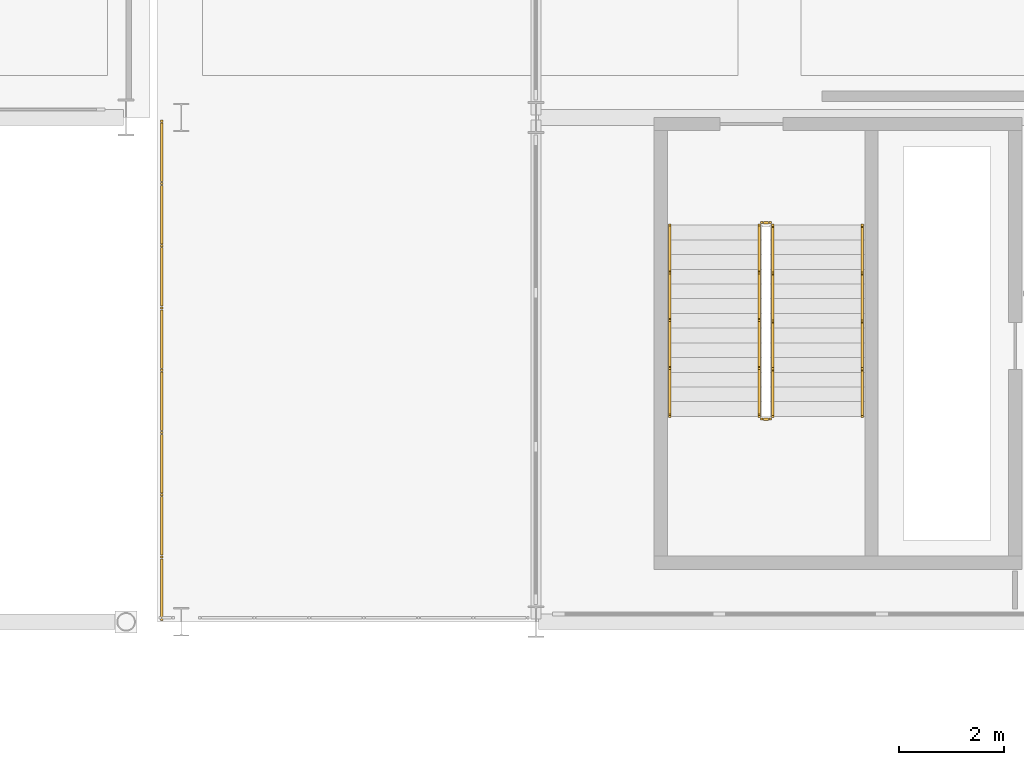
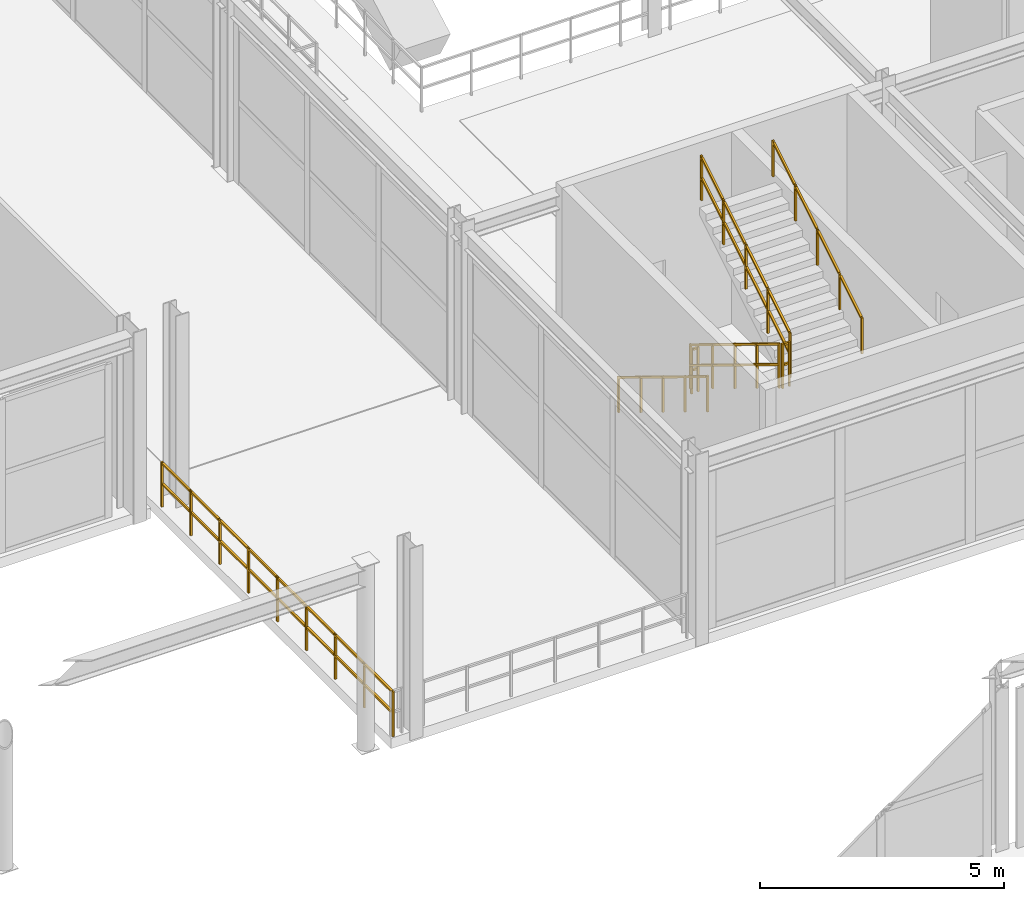
# One storey, part 99 of 125: 7 railings.
"""IFC4 building model written with IfcOpenShell, lengths in metres."""

from ifc_helpers import new_model, si_unit, direction, frame, origin, origin_2d, place, context, subcontext, project, spatial, rectangle, extrude, material, type_object, element, save


model = new_model("IFC4")

# Units and contexts
model_context = context("Model", 3, precision=1e-05, world=origin(), true_north=direction((0.0, 1.0)))
body_context = subcontext(model_context, "Body", "Model", "MODEL_VIEW")
ifc_project = project(units=[si_unit("LENGTHUNIT", "METRE"), si_unit("AREAUNIT", "SQUARE_METRE"), si_unit("VOLUMEUNIT", "CUBIC_METRE"), si_unit("PLANEANGLEUNIT", "RADIAN"), si_unit("MASSUNIT", "GRAM", prefix="KILO")], contexts=[model_context])

# Site, building, storey
site_placement = place(None, origin())
site = spatial("IfcSite", under=ifc_project, at=site_placement, CompositionType="ELEMENT")
building_placement = place(site_placement, origin())
building = spatial("IfcBuilding", under=site, at=building_placement, Name="Myrtia Square Station", CompositionType="ELEMENT")
storey_placement = place(building_placement, frame((0.0, 0.0, 6.0)))
storey = spatial("IfcBuildingStorey", under=building, at=storey_placement, Name="L01", CompositionType="ELEMENT", Elevation=6.0)

# Railings
ifc_material_1 = material(Name="Dark bronze anodised aluminium", Category="aluminium")
railing_type_1 = type_object("IfcRailingType", Name="RL-HANDRAIL-900", PredefinedType="HANDRAIL", material=ifc_material_1)
railing_1_placement = place(storey_placement, frame((81.89990234375, 36.35009765625, 0.17138671875)))
element("IfcRailing", 1, at=railing_1_placement, inside=storey, type_object=railing_type_1, Name="L01 ST01 stair handrail 1", PredefinedType="HANDRAIL", context=body_context, shape_type="SweptSolid", body=[
    extrude(rectangle(XDim=0.048095703125, YDim=0.048095703125, at=origin_2d()), frame((0.0, -0.029541015625, 0.89404296875), z_axis=(0.0, -0.852865859571, 0.52213008492), x_axis=(1.0, 0.0, 0.0)), (0.0, 0.0, 1.0), 0.997802734375),
    extrude(rectangle(XDim=0.048095703125, YDim=0.048095703125, at=origin_2d()), frame((0.0, -0.939697265625, 1.451171875), z_axis=(0.0, -0.852865859571, 0.52213008492), x_axis=(1.0, 0.0, 0.0)), (0.0, 0.0, 1.0), 0.997802734375),
    extrude(rectangle(XDim=0.048095703125, YDim=0.048095703125, at=origin_2d()), frame((0.0, -1.849609375, 2.00830078125), z_axis=(0.0, -0.852865859571, 0.52213008492), x_axis=(1.0, 0.0, 0.0)), (0.0, 0.0, 1.0), 0.997802734375),
    extrude(rectangle(XDim=0.048095703125, YDim=0.048095703125, at=origin_2d()), frame((0.0, -2.759765625, 2.5654296875), z_axis=(0.0, -0.852865859571, 0.52213008492), x_axis=(1.0, 0.0, 0.0)), (0.0, 0.0, 1.0), 0.997802734375),
    extrude(rectangle(XDim=0.0439453125, YDim=0.0439453125, at=origin_2d()), origin(), (0.0, 0.0, 1.0), 0.89990234375),
    extrude(rectangle(XDim=0.0439453125, YDim=0.0439453125, at=origin_2d()), frame((0.0, -0.91015625, 0.55712890625)), (0.0, 0.0, 1.0), 0.89990234375),
    extrude(rectangle(XDim=0.0439453125, YDim=0.0439453125, at=origin_2d()), frame((0.0, -1.820068359375, 1.1142578125)), (0.0, 0.0, 1.0), 0.89990234375),
    extrude(rectangle(XDim=0.0439453125, YDim=0.0439453125, at=origin_2d()), frame((0.0, -2.72998046875, 1.67138671875)), (0.0, 0.0, 1.0), 0.89990234375),
    extrude(rectangle(XDim=0.0439453125, YDim=0.0439453125, at=origin_2d()), frame((0.0, -3.64013671875, 2.228515625)), (0.0, 0.0, 1.0), 0.89990234375),
])
railing_2_placement = place(storey_placement, frame((85.56005859375, 32.7099609375, 2.571533203125)))
element("IfcRailing", 2, at=railing_2_placement, inside=storey, type_object=railing_type_1, Name="L01 ST01 stair handrail 2", PredefinedType="HANDRAIL", context=body_context, shape_type="SweptSolid", body=[
    extrude(rectangle(XDim=0.048095703125, YDim=0.048095703125, at=origin_2d()), frame((0.0, 0.029541015625, 0.89404296875), z_axis=(0.0, 0.852865859571, 0.52213008492), x_axis=(-1.0, 0.0, 0.0)), (0.0, 0.0, 1.0), 0.997802734375),
    extrude(rectangle(XDim=0.048095703125, YDim=0.048095703125, at=origin_2d()), frame((0.0, 0.939697265625, 1.451171875), z_axis=(0.0, 0.852865859571, 0.52213008492), x_axis=(-1.0, 0.0, 0.0)), (0.0, 0.0, 1.0), 0.997802734375),
    extrude(rectangle(XDim=0.048095703125, YDim=0.048095703125, at=origin_2d()), frame((0.0, 1.849609375, 2.00830078125), z_axis=(0.0, 0.852865859571, 0.52213008492), x_axis=(-1.0, 0.0, 0.0)), (0.0, 0.0, 1.0), 0.997802734375),
    extrude(rectangle(XDim=0.048095703125, YDim=0.048095703125, at=origin_2d()), frame((0.0, 2.759765625, 2.5654296875), z_axis=(0.0, 0.852865859571, 0.52213008492), x_axis=(-1.0, 0.0, 0.0)), (0.0, 0.0, 1.0), 0.997802734375),
    extrude(rectangle(XDim=0.0439453125, YDim=0.0439453125, at=origin_2d()), origin(), (0.0, 0.0, 1.0), 0.89990234375),
    extrude(rectangle(XDim=0.0439453125, YDim=0.0439453125, at=origin_2d()), frame((0.0, 0.91015625, 0.55712890625)), (0.0, 0.0, 1.0), 0.89990234375),
    extrude(rectangle(XDim=0.0439453125, YDim=0.0439453125, at=origin_2d()), frame((0.0, 1.820068359375, 1.1142578125)), (0.0, 0.0, 1.0), 0.89990234375),
    extrude(rectangle(XDim=0.0439453125, YDim=0.0439453125, at=origin_2d()), frame((0.0, 2.72998046875, 1.67138671875)), (0.0, 0.0, 1.0), 0.89990234375),
    extrude(rectangle(XDim=0.0439453125, YDim=0.0439453125, at=origin_2d()), frame((0.0, 3.64013671875, 2.228515625)), (0.0, 0.0, 1.0), 0.89990234375),
])
ifc_material_2 = material(Name="Wrought iron", Category="steel")
railing_type_2 = type_object("IfcRailingType", Name="RL-INT-GUARD-1100", PredefinedType="BALUSTRADE", material=ifc_material_2)
railing_3_placement = place(storey_placement, frame((83.60009765625, 36.35009765625, 0.17138671875)))
element("IfcRailing", 3, at=railing_3_placement, inside=storey, type_object=railing_type_2, Name="L01 ST01 stair guard 1", PredefinedType="BALUSTRADE", context=body_context, shape_type="SweptSolid", body=[
    extrude(rectangle(XDim=0.048095703125, YDim=0.048095703125, at=origin_2d()), frame((0.0, -0.029541015625, 1.1142578125), z_axis=(0.0, -0.852865859571, 0.52213008492), x_axis=(1.0, 0.0, 0.0)), (0.0, 0.0, 1.0), 0.997802734375),
    extrude(rectangle(XDim=0.048095703125, YDim=0.048095703125, at=origin_2d()), frame((0.0, -0.029541015625, 0.6005859375), z_axis=(0.0, -0.852865859571, 0.52213008492), x_axis=(1.0, 0.0, 0.0)), (0.0, 0.0, 1.0), 0.997802734375),
    extrude(rectangle(XDim=0.048095703125, YDim=0.048095703125, at=origin_2d()), frame((0.0, -0.939697265625, 1.67138671875), z_axis=(0.0, -0.852865859571, 0.52213008492), x_axis=(1.0, 0.0, 0.0)), (0.0, 0.0, 1.0), 0.997802734375),
    extrude(rectangle(XDim=0.048095703125, YDim=0.048095703125, at=origin_2d()), frame((0.0, -0.939697265625, 1.15771484375), z_axis=(0.0, -0.852865859571, 0.52213008492), x_axis=(1.0, 0.0, 0.0)), (0.0, 0.0, 1.0), 0.997802734375),
    extrude(rectangle(XDim=0.048095703125, YDim=0.048095703125, at=origin_2d()), frame((0.0, -1.849609375, 2.228515625), z_axis=(0.0, -0.852865859571, 0.52213008492), x_axis=(1.0, 0.0, 0.0)), (0.0, 0.0, 1.0), 0.997802734375),
    extrude(rectangle(XDim=0.048095703125, YDim=0.048095703125, at=origin_2d()), frame((0.0, -1.849609375, 1.71484375), z_axis=(0.0, -0.852865859571, 0.52213008492), x_axis=(1.0, 0.0, 0.0)), (0.0, 0.0, 1.0), 0.997802734375),
    extrude(rectangle(XDim=0.048095703125, YDim=0.048095703125, at=origin_2d()), frame((0.0, -2.759765625, 2.78564453125), z_axis=(0.0, -0.852865859571, 0.52213008492), x_axis=(1.0, 0.0, 0.0)), (0.0, 0.0, 1.0), 0.997802734375),
    extrude(rectangle(XDim=0.048095703125, YDim=0.048095703125, at=origin_2d()), frame((0.0, -2.759765625, 2.27197265625), z_axis=(0.0, -0.852865859571, 0.52213008492), x_axis=(1.0, 0.0, 0.0)), (0.0, 0.0, 1.0), 0.997802734375),
    extrude(rectangle(XDim=0.0439453125, YDim=0.0439453125, at=origin_2d()), origin(), (0.0, 0.0, 1.0), 1.1201171875),
    extrude(rectangle(XDim=0.0439453125, YDim=0.0439453125, at=origin_2d()), frame((0.0, -0.91015625, 0.55712890625)), (0.0, 0.0, 1.0), 1.1201171875),
    extrude(rectangle(XDim=0.0439453125, YDim=0.0439453125, at=origin_2d()), frame((0.0, -1.820068359375, 1.1142578125)), (0.0, 0.0, 1.0), 1.1201171875),
    extrude(rectangle(XDim=0.0439453125, YDim=0.0439453125, at=origin_2d()), frame((0.0, -2.72998046875, 1.67138671875)), (0.0, 0.0, 1.0), 1.1201171875),
    extrude(rectangle(XDim=0.0439453125, YDim=0.0439453125, at=origin_2d()), frame((0.0, -3.64013671875, 2.228515625)), (0.0, 0.0, 1.0), 1.1201171875),
])
railing_4_placement = place(storey_placement, frame((83.64990234375, 32.659912109375, 2.39990234375)))
element("IfcRailing", 4, at=railing_4_placement, inside=storey, type_object=railing_type_2, Name="L01 ST01 stair guard 2", PredefinedType="BALUSTRADE", context=body_context, shape_type="SweptSolid", body=[
    extrude(rectangle(XDim=0.048095703125, YDim=0.048095703125, at=origin_2d()), frame((0.03466796875, 0.0, 1.09619140625), z_axis=(1.0, 0.0, 0.0), x_axis=(0.0, 1.0, 0.0)), (0.0, 0.0, 1.0), 0.0908203125),
    extrude(rectangle(XDim=0.048095703125, YDim=0.048095703125, at=origin_2d()), frame((0.03466796875, 0.0, 0.58251953125), z_axis=(1.0, 0.0, 0.0), x_axis=(0.0, 1.0, 0.0)), (0.0, 0.0, 1.0), 0.0908203125),
    extrude(rectangle(XDim=0.0439453125, YDim=0.0439453125, at=origin_2d()), origin(), (0.0, 0.0, 1.0), 1.1201171875),
    extrude(rectangle(XDim=0.0439453125, YDim=0.0439453125, at=origin_2d()), frame((0.16015625, 0.0, 0.0)), (0.0, 0.0, 1.0), 1.1201171875),
])
railing_5_placement = place(storey_placement, frame((83.860107421875, 32.7099609375, 2.571533203125)))
element("IfcRailing", 5, at=railing_5_placement, inside=storey, type_object=railing_type_2, Name="L01 ST01 stair guard 3", PredefinedType="BALUSTRADE", context=body_context, shape_type="SweptSolid", body=[
    extrude(rectangle(XDim=0.048095703125, YDim=0.048095703125, at=origin_2d()), frame((0.0, 0.029541015625, 1.1142578125), z_axis=(0.0, 0.852865859571, 0.52213008492), x_axis=(-1.0, 0.0, 0.0)), (0.0, 0.0, 1.0), 0.997802734375),
    extrude(rectangle(XDim=0.048095703125, YDim=0.048095703125, at=origin_2d()), frame((0.0, 0.029541015625, 0.6005859375), z_axis=(0.0, 0.852865859571, 0.52213008492), x_axis=(-1.0, 0.0, 0.0)), (0.0, 0.0, 1.0), 0.997802734375),
    extrude(rectangle(XDim=0.048095703125, YDim=0.048095703125, at=origin_2d()), frame((0.0, 0.939697265625, 1.67138671875), z_axis=(0.0, 0.852865859571, 0.52213008492), x_axis=(-1.0, 0.0, 0.0)), (0.0, 0.0, 1.0), 0.997802734375),
    extrude(rectangle(XDim=0.048095703125, YDim=0.048095703125, at=origin_2d()), frame((0.0, 0.939697265625, 1.15771484375), z_axis=(0.0, 0.852865859571, 0.52213008492), x_axis=(-1.0, 0.0, 0.0)), (0.0, 0.0, 1.0), 0.997802734375),
    extrude(rectangle(XDim=0.048095703125, YDim=0.048095703125, at=origin_2d()), frame((0.0, 1.849609375, 2.228515625), z_axis=(0.0, 0.852865859571, 0.52213008492), x_axis=(-1.0, 0.0, 0.0)), (0.0, 0.0, 1.0), 0.997802734375),
    extrude(rectangle(XDim=0.048095703125, YDim=0.048095703125, at=origin_2d()), frame((0.0, 1.849609375, 1.71484375), z_axis=(0.0, 0.852865859571, 0.52213008492), x_axis=(-1.0, 0.0, 0.0)), (0.0, 0.0, 1.0), 0.997802734375),
    extrude(rectangle(XDim=0.048095703125, YDim=0.048095703125, at=origin_2d()), frame((0.0, 2.759765625, 2.78564453125), z_axis=(0.0, 0.852865859571, 0.52213008492), x_axis=(-1.0, 0.0, 0.0)), (0.0, 0.0, 1.0), 0.997802734375),
    extrude(rectangle(XDim=0.048095703125, YDim=0.048095703125, at=origin_2d()), frame((0.0, 2.759765625, 2.27197265625), z_axis=(0.0, 0.852865859571, 0.52213008492), x_axis=(-1.0, 0.0, 0.0)), (0.0, 0.0, 1.0), 0.997802734375),
    extrude(rectangle(XDim=0.0439453125, YDim=0.0439453125, at=origin_2d()), origin(), (0.0, 0.0, 1.0), 1.1201171875),
    extrude(rectangle(XDim=0.0439453125, YDim=0.0439453125, at=origin_2d()), frame((0.0, 0.91015625, 0.55712890625)), (0.0, 0.0, 1.0), 1.1201171875),
    extrude(rectangle(XDim=0.0439453125, YDim=0.0439453125, at=origin_2d()), frame((0.0, 1.820068359375, 1.1142578125)), (0.0, 0.0, 1.0), 1.1201171875),
    extrude(rectangle(XDim=0.0439453125, YDim=0.0439453125, at=origin_2d()), frame((0.0, 2.72998046875, 1.67138671875)), (0.0, 0.0, 1.0), 1.1201171875),
    extrude(rectangle(XDim=0.0439453125, YDim=0.0439453125, at=origin_2d()), frame((0.0, 3.64013671875, 2.228515625)), (0.0, 0.0, 1.0), 1.1201171875),
])
railing_6_placement = place(storey_placement, frame((83.64990234375, 36.39990234375, 0.0)))
element("IfcRailing", 6, at=railing_6_placement, inside=storey, type_object=railing_type_2, Name="L01 ST01 stair guard 4", PredefinedType="BALUSTRADE", context=body_context, shape_type="SweptSolid", body=[
    extrude(rectangle(XDim=0.048095703125, YDim=0.048095703125, at=origin_2d()), frame((0.03466796875, 0.0, 1.09619140625), z_axis=(1.0, 0.0, 0.0), x_axis=(0.0, 1.0, 0.0)), (0.0, 0.0, 1.0), 0.0908203125),
    extrude(rectangle(XDim=0.048095703125, YDim=0.048095703125, at=origin_2d()), frame((0.03466796875, 0.0, 0.58251953125), z_axis=(1.0, 0.0, 0.0), x_axis=(0.0, 1.0, 0.0)), (0.0, 0.0, 1.0), 0.0908203125),
    extrude(rectangle(XDim=0.0439453125, YDim=0.0439453125, at=origin_2d()), origin(), (0.0, 0.0, 1.0), 1.1201171875),
    extrude(rectangle(XDim=0.0439453125, YDim=0.0439453125, at=origin_2d()), frame((0.16015625, 0.0, 0.0)), (0.0, 0.0, 1.0), 1.1201171875),
])
railing_7_placement = place(storey_placement, frame((72.22998046875, 38.3291015625, 0.0)))
element("IfcRailing", 7, at=railing_7_placement, inside=storey, type_object=railing_type_2, Name="Perimeter slab edge balustrade L01-016", PredefinedType="BALUSTRADE", context=body_context, shape_type="SweptSolid", body=[
    extrude(rectangle(XDim=0.048095703125, YDim=0.048095703125, at=origin_2d()), frame((0.0, -0.03466796875, 1.09619140625), z_axis=(0.0, -1.0, 0.0), x_axis=(1.0, 0.0, 0.0)), (0.0, 0.0, 1.0), 1.115478515625),
    extrude(rectangle(XDim=0.048095703125, YDim=0.048095703125, at=origin_2d()), frame((0.0, -0.03466796875, 0.58251953125), z_axis=(0.0, -1.0, 0.0), x_axis=(1.0, 0.0, 0.0)), (0.0, 0.0, 1.0), 1.115478515625),
    extrude(rectangle(XDim=0.048095703125, YDim=0.048095703125, at=origin_2d()), frame((0.0, -1.219482421875, 1.09619140625), z_axis=(0.0, -1.0, 0.0), x_axis=(1.0, 0.0, 0.0)), (0.0, 0.0, 1.0), 1.115478515625),
    extrude(rectangle(XDim=0.048095703125, YDim=0.048095703125, at=origin_2d()), frame((0.0, -1.219482421875, 0.58251953125), z_axis=(0.0, -1.0, 0.0), x_axis=(1.0, 0.0, 0.0)), (0.0, 0.0, 1.0), 1.115478515625),
    extrude(rectangle(XDim=0.048095703125, YDim=0.048095703125, at=origin_2d()), frame((0.0, -2.404296875, 1.09619140625), z_axis=(0.0, -1.0, 0.0), x_axis=(1.0, 0.0, 0.0)), (0.0, 0.0, 1.0), 1.115478515625),
    extrude(rectangle(XDim=0.048095703125, YDim=0.048095703125, at=origin_2d()), frame((0.0, -2.404296875, 0.58251953125), z_axis=(0.0, -1.0, 0.0), x_axis=(1.0, 0.0, 0.0)), (0.0, 0.0, 1.0), 1.115478515625),
    extrude(rectangle(XDim=0.048095703125, YDim=0.048095703125, at=origin_2d()), frame((0.0, -3.58935546875, 1.09619140625), z_axis=(0.0, -1.0, 0.0), x_axis=(1.0, 0.0, 0.0)), (0.0, 0.0, 1.0), 1.115478515625),
    extrude(rectangle(XDim=0.048095703125, YDim=0.048095703125, at=origin_2d()), frame((0.0, -3.58935546875, 0.58251953125), z_axis=(0.0, -1.0, 0.0), x_axis=(1.0, 0.0, 0.0)), (0.0, 0.0, 1.0), 1.115478515625),
    extrude(rectangle(XDim=0.048095703125, YDim=0.048095703125, at=origin_2d()), frame((0.0, -4.774169921875, 1.09619140625), z_axis=(0.0, -1.0, 0.0), x_axis=(1.0, 0.0, 0.0)), (0.0, 0.0, 1.0), 1.115478515625),
    extrude(rectangle(XDim=0.048095703125, YDim=0.048095703125, at=origin_2d()), frame((0.0, -4.774169921875, 0.58251953125), z_axis=(0.0, -1.0, 0.0), x_axis=(1.0, 0.0, 0.0)), (0.0, 0.0, 1.0), 1.115478515625),
    extrude(rectangle(XDim=0.048095703125, YDim=0.048095703125, at=origin_2d()), frame((0.0, -5.958984375, 1.09619140625), z_axis=(0.0, -1.0, 0.0), x_axis=(1.0, 0.0, 0.0)), (0.0, 0.0, 1.0), 1.115478515625),
    extrude(rectangle(XDim=0.048095703125, YDim=0.048095703125, at=origin_2d()), frame((0.0, -5.958984375, 0.58251953125), z_axis=(0.0, -1.0, 0.0), x_axis=(1.0, 0.0, 0.0)), (0.0, 0.0, 1.0), 1.115478515625),
    extrude(rectangle(XDim=0.048095703125, YDim=0.048095703125, at=origin_2d()), frame((0.0, -7.143798828125, 1.09619140625), z_axis=(0.0, -1.0, 0.0), x_axis=(1.0, 0.0, 0.0)), (0.0, 0.0, 1.0), 1.115478515625),
    extrude(rectangle(XDim=0.048095703125, YDim=0.048095703125, at=origin_2d()), frame((0.0, -7.143798828125, 0.58251953125), z_axis=(0.0, -1.0, 0.0), x_axis=(1.0, 0.0, 0.0)), (0.0, 0.0, 1.0), 1.115478515625),
    extrude(rectangle(XDim=0.048095703125, YDim=0.048095703125, at=origin_2d()), frame((0.0, -8.328857421875, 1.09619140625), z_axis=(0.0, -1.0, 0.0), x_axis=(1.0, 0.0, 0.0)), (0.0, 0.0, 1.0), 1.115478515625),
    extrude(rectangle(XDim=0.048095703125, YDim=0.048095703125, at=origin_2d()), frame((0.0, -8.328857421875, 0.58251953125), z_axis=(0.0, -1.0, 0.0), x_axis=(1.0, 0.0, 0.0)), (0.0, 0.0, 1.0), 1.115478515625),
    extrude(rectangle(XDim=0.0439453125, YDim=0.0439453125, at=origin_2d()), origin(), (0.0, 0.0, 1.0), 1.1201171875),
    extrude(rectangle(XDim=0.0439453125, YDim=0.0439453125, at=origin_2d()), frame((0.0, -1.184814453125, 0.0)), (0.0, 0.0, 1.0), 1.1201171875),
    extrude(rectangle(XDim=0.0439453125, YDim=0.0439453125, at=origin_2d()), frame((0.0, -2.36962890625, 0.0)), (0.0, 0.0, 1.0), 1.1201171875),
    extrude(rectangle(XDim=0.0439453125, YDim=0.0439453125, at=origin_2d()), frame((0.0, -3.5546875, 0.0)), (0.0, 0.0, 1.0), 1.1201171875),
    extrude(rectangle(XDim=0.0439453125, YDim=0.0439453125, at=origin_2d()), frame((0.0, -4.739501953125, 0.0)), (0.0, 0.0, 1.0), 1.1201171875),
    extrude(rectangle(XDim=0.0439453125, YDim=0.0439453125, at=origin_2d()), frame((0.0, -5.92431640625, 0.0)), (0.0, 0.0, 1.0), 1.1201171875),
    extrude(rectangle(XDim=0.0439453125, YDim=0.0439453125, at=origin_2d()), frame((0.0, -7.109375, 0.0)), (0.0, 0.0, 1.0), 1.1201171875),
    extrude(rectangle(XDim=0.0439453125, YDim=0.0439453125, at=origin_2d()), frame((0.0, -8.294189453125, 0.0)), (0.0, 0.0, 1.0), 1.1201171875),
    extrude(rectangle(XDim=0.0439453125, YDim=0.0439453125, at=origin_2d()), frame((0.0, -9.47900390625, 0.0)), (0.0, 0.0, 1.0), 1.1201171875),
])

save(model, "model.ifc")
